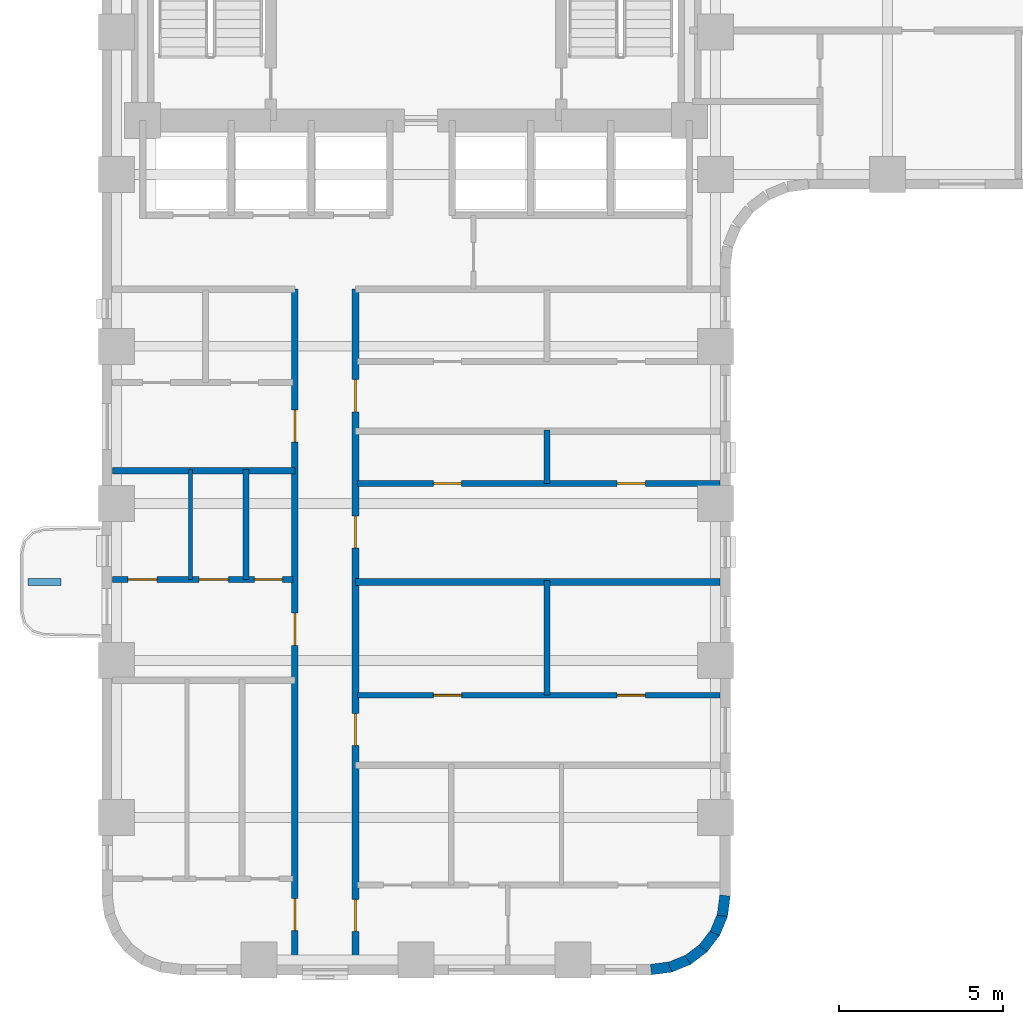
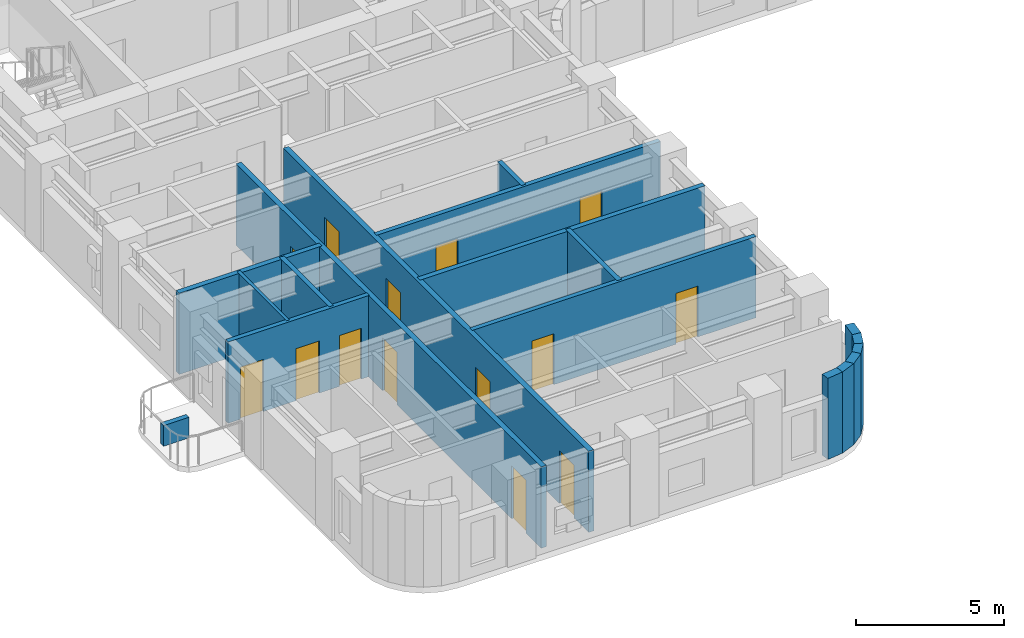
# One storey, part 3 of 12: 18 walls, 14 doors, 14 openings.
"""IFC4 building model written with IfcOpenShell, lengths in metres."""

from ifc_helpers import new_model, si_unit, direction, frame, frame_2d, origin, place, context, subcontext, project, spatial, rectangle, extrude, material, layer, layer_set, type_object, element, fill, save


model = new_model("IFC4")

# Units and contexts
model_context = context("Model", 3, precision=1e-05, world=origin(), true_north=direction((0.0, 1.0)))
body_context = subcontext(model_context, "Body", "Model", "MODEL_VIEW")
ifc_project = project(units=[si_unit("LENGTHUNIT", "METRE"), si_unit("AREAUNIT", "SQUARE_METRE"), si_unit("VOLUMEUNIT", "CUBIC_METRE"), si_unit("PLANEANGLEUNIT", "RADIAN"), si_unit("MASSUNIT", "GRAM", prefix="KILO")], contexts=[model_context])

# Site, building, storey
site_placement = place(None, origin())
site = spatial("IfcSite", under=ifc_project, at=site_placement, CompositionType="ELEMENT")
building_placement = place(site_placement, origin())
building = spatial("IfcBuilding", under=site, at=building_placement, Name="Orvandelia Arch Residences", CompositionType="ELEMENT")
storey_placement = place(building_placement, frame((0.0, 0.0, 43.0)))
storey = spatial("IfcBuildingStorey", under=building, at=storey_placement, Name="L10", CompositionType="ELEMENT", Elevation=43.0)

# Wall, openings, doors
ifc_material_1 = material(Name="Fire-Rated Corridor Partition")
ifc_layer_1 = layer(ifc_material_1, 0.199951171875, Name="Fire-Rated Corridor Partition")
ifc_layer_set_1 = layer_set([ifc_layer_1], Name="Fire-Rated Corridor Partition")
wall_type_1 = type_object("IfcWallType", Name="WL-CORR-200", PredefinedType="PARTITIONING", material=ifc_layer_set_1)
wall_1_placement = place(storey_placement, frame((10.699951171875, 5.1201171875, 0.0), z_axis=(0.0, 0.0, 1.0), x_axis=(0.0, 1.0, 0.0)))
wall_1 = element("IfcWall", 1, at=wall_1_placement, inside=storey, type_object=wall_type_1, Name="Interior Partition Wall WL-L10-WC-W", PredefinedType="PARTITIONING", context=body_context, shape_type="SweptSolid", body=[
    extrude(rectangle(XDim=20.6298828125, YDim=0.199951171875, at=frame_2d((10.31494140625, 0.0))), origin(), (0.0, 0.0, 1.0), 3.35009765625),
])
opening_1_placement = place(wall_1_placement, frame((1.028076171875, 0.0, 0.0)))
opening_1 = element("IfcOpeningElement", 2, at=opening_1_placement, cuts=wall_1, Name="Opening D1", PredefinedType="OPENING", context=body_context, shape_type="SweptSolid", body=[
    extrude(rectangle(XDim=0.97998046875, YDim=2.179931640625, at=frame_2d((0.489990234375, 1.08984375))), frame((0.0, 0.10986328125, 0.0), z_axis=(0.0, -1.0, 0.0), x_axis=(1.0, 0.0, 0.0)), (0.0, 0.0, 1.0), 0.219970703125),
])
opening_2_placement = place(wall_1_placement, frame((9.7470703125, 0.0, 0.0)))
opening_2 = element("IfcOpeningElement", 3, at=opening_2_placement, cuts=wall_1, Name="Opening D1", PredefinedType="OPENING", context=body_context, shape_type="SweptSolid", body=[
    extrude(rectangle(XDim=0.97998046875, YDim=2.179931640625, at=frame_2d((0.489990234375, 1.08984375))), frame((0.0, 0.10986328125, 0.0), z_axis=(0.0, -1.0, 0.0), x_axis=(1.0, 0.0, 0.0)), (0.0, 0.0, 1.0), 0.219970703125),
])
opening_3_placement = place(wall_1_placement, frame((15.9560546875, 0.0, 0.0)))
opening_3 = element("IfcOpeningElement", 4, at=opening_3_placement, cuts=wall_1, Name="Opening D1", PredefinedType="OPENING", context=body_context, shape_type="SweptSolid", body=[
    extrude(rectangle(XDim=0.97998046875, YDim=2.179931640625, at=frame_2d((0.489990234375, 1.08984375))), frame((0.0, 0.10986328125, 0.0), z_axis=(0.0, -1.0, 0.0), x_axis=(1.0, 0.0, 0.0)), (0.0, 0.0, 1.0), 0.219970703125),
])
ifc_material_2 = material(Name="Solid-Core Timber Acoustic Fire Door", Category="wood")
door_type_1 = type_object("IfcDoorType", Name="DR-ENT-980", OperationType="NOTDEFINED", PredefinedType="DOOR", material=ifc_material_2)
door_1_placement = place(opening_1_placement, origin())
door_1 = element("IfcDoor", 5, at=door_1_placement, inside=storey, type_object=door_type_1, Name="Unit L10-01 Entrance Door", OperationType="SINGLE_SWING_LEFT", OverallHeight=2.179931640625, OverallWidth=0.97998046875, PredefinedType="DOOR", context=body_context, shape_type="SweptSolid", body=[
    extrude(rectangle(XDim=0.97998046875, YDim=2.179931640625, at=frame_2d((0.489990234375, 1.08984375))), frame((0.0, 0.02490234375, 0.0), z_axis=(0.0, -1.0, 0.0), x_axis=(1.0, 0.0, 0.0)), (0.0, 0.0, 1.0), 0.050048828125),
])
fill(opening_1, door_1)
door_2_placement = place(opening_2_placement, origin())
door_2 = element("IfcDoor", 6, at=door_2_placement, inside=storey, type_object=door_type_1, Name="Unit L10-02 Entrance Door", OperationType="SINGLE_SWING_RIGHT", OverallHeight=2.179931640625, OverallWidth=0.97998046875, PredefinedType="DOOR", context=body_context, shape_type="SweptSolid", body=[
    extrude(rectangle(XDim=0.97998046875, YDim=2.179931640625, at=frame_2d((0.489990234375, 1.08984375))), frame((0.0, 0.02490234375, 0.0), z_axis=(0.0, -1.0, 0.0), x_axis=(1.0, 0.0, 0.0)), (0.0, 0.0, 1.0), 0.050048828125),
])
fill(opening_2, door_2)
door_3_placement = place(opening_3_placement, origin())
door_3 = element("IfcDoor", 7, at=door_3_placement, inside=storey, type_object=door_type_1, Name="Unit L10-03 Entrance Door", OperationType="SINGLE_SWING_LEFT", OverallHeight=2.179931640625, OverallWidth=0.97998046875, PredefinedType="DOOR", context=body_context, shape_type="SweptSolid", body=[
    extrude(rectangle(XDim=0.97998046875, YDim=2.179931640625, at=frame_2d((0.489990234375, 1.08984375))), frame((0.0, 0.02490234375, 0.0), z_axis=(0.0, -1.0, 0.0), x_axis=(1.0, 0.0, 0.0)), (0.0, 0.0, 1.0), 0.050048828125),
])
fill(opening_3, door_3)

wall_2_placement = place(storey_placement, frame((12.550048828125, 5.1201171875, 0.0), z_axis=(0.0, 0.0, 1.0), x_axis=(0.0, 1.0, 0.0)))
wall_2 = element("IfcWall", 8, at=wall_2_placement, inside=storey, type_object=wall_type_1, Name="Interior Partition Wall WL-L10-WC-E", PredefinedType="PARTITIONING", context=body_context, shape_type="SweptSolid", body=[
    extrude(rectangle(XDim=20.6298828125, YDim=0.199951171875, at=frame_2d((10.31494140625, 0.0))), origin(), (0.0, 0.0, 1.0), 3.35009765625),
])
opening_4_placement = place(wall_2_placement, frame((1.00390625, 0.0, 0.0)))
opening_4 = element("IfcOpeningElement", 9, at=opening_4_placement, cuts=wall_2, Name="Opening D1", PredefinedType="OPENING", context=body_context, shape_type="SweptSolid", body=[
    extrude(rectangle(XDim=0.97998046875, YDim=2.179931640625, at=frame_2d((0.489990234375, 1.08984375))), frame((0.0, 0.10986328125, 0.0), z_axis=(0.0, -1.0, 0.0), x_axis=(1.0, 0.0, 0.0)), (0.0, 0.0, 1.0), 0.219970703125),
])
opening_5_placement = place(wall_2_placement, frame((6.679931640625, 0.0, 0.0)))
opening_5 = element("IfcOpeningElement", 10, at=opening_5_placement, cuts=wall_2, Name="Opening D1", PredefinedType="OPENING", context=body_context, shape_type="SweptSolid", body=[
    extrude(rectangle(XDim=0.97998046875, YDim=2.179931640625, at=frame_2d((0.489990234375, 1.08984375))), frame((0.0, 0.10986328125, 0.0), z_axis=(0.0, -1.0, 0.0), x_axis=(1.0, 0.0, 0.0)), (0.0, 0.0, 1.0), 0.219970703125),
])
opening_6_placement = place(wall_2_placement, frame((12.715087890625, 0.0, 0.0)))
opening_6 = element("IfcOpeningElement", 11, at=opening_6_placement, cuts=wall_2, Name="Opening D1", PredefinedType="OPENING", context=body_context, shape_type="SweptSolid", body=[
    extrude(rectangle(XDim=0.97998046875, YDim=2.179931640625, at=frame_2d((0.489990234375, 1.08984375))), frame((0.0, 0.10986328125, 0.0), z_axis=(0.0, -1.0, 0.0), x_axis=(1.0, 0.0, 0.0)), (0.0, 0.0, 1.0), 0.219970703125),
])
opening_7_placement = place(wall_2_placement, frame((16.8798828125, 0.0, 0.0)))
opening_7 = element("IfcOpeningElement", 12, at=opening_7_placement, cuts=wall_2, Name="Opening D1", PredefinedType="OPENING", context=body_context, shape_type="SweptSolid", body=[
    extrude(rectangle(XDim=0.97998046875, YDim=2.179931640625, at=frame_2d((0.489990234375, 1.08984375))), frame((0.0, 0.10986328125, 0.0), z_axis=(0.0, -1.0, 0.0), x_axis=(1.0, 0.0, 0.0)), (0.0, 0.0, 1.0), 0.219970703125),
])
door_4_placement = place(opening_4_placement, origin())
door_4 = element("IfcDoor", 13, at=door_4_placement, inside=storey, type_object=door_type_1, Name="Unit L10-04 Entrance Door", OperationType="SINGLE_SWING_RIGHT", OverallHeight=2.179931640625, OverallWidth=0.97998046875, PredefinedType="DOOR", context=body_context, shape_type="SweptSolid", body=[
    extrude(rectangle(XDim=0.97998046875, YDim=2.179931640625, at=frame_2d((0.489990234375, 1.08984375))), frame((0.0, 0.02490234375, 0.0), z_axis=(0.0, -1.0, 0.0), x_axis=(1.0, 0.0, 0.0)), (0.0, 0.0, 1.0), 0.050048828125),
])
fill(opening_4, door_4)
door_5_placement = place(opening_5_placement, origin())
door_5 = element("IfcDoor", 14, at=door_5_placement, inside=storey, type_object=door_type_1, Name="Unit L10-05 Entrance Door", OperationType="SINGLE_SWING_LEFT", OverallHeight=2.179931640625, OverallWidth=0.97998046875, PredefinedType="DOOR", context=body_context, shape_type="SweptSolid", body=[
    extrude(rectangle(XDim=0.97998046875, YDim=2.179931640625, at=frame_2d((0.489990234375, 1.08984375))), frame((0.0, 0.02490234375, 0.0), z_axis=(0.0, -1.0, 0.0), x_axis=(1.0, 0.0, 0.0)), (0.0, 0.0, 1.0), 0.050048828125),
])
fill(opening_5, door_5)
door_6_placement = place(opening_6_placement, origin())
door_6 = element("IfcDoor", 15, at=door_6_placement, inside=storey, type_object=door_type_1, Name="Unit L10-06 Entrance Door", OperationType="SINGLE_SWING_RIGHT", OverallHeight=2.179931640625, OverallWidth=0.97998046875, PredefinedType="DOOR", context=body_context, shape_type="SweptSolid", body=[
    extrude(rectangle(XDim=0.97998046875, YDim=2.179931640625, at=frame_2d((0.489990234375, 1.08984375))), frame((0.0, 0.02490234375, 0.0), z_axis=(0.0, -1.0, 0.0), x_axis=(1.0, 0.0, 0.0)), (0.0, 0.0, 1.0), 0.050048828125),
])
fill(opening_6, door_6)
door_7_placement = place(opening_7_placement, origin())
door_7 = element("IfcDoor", 16, at=door_7_placement, inside=storey, type_object=door_type_1, Name="Unit L10-07 Entrance Door", OperationType="SINGLE_SWING_LEFT", OverallHeight=2.179931640625, OverallWidth=0.97998046875, PredefinedType="DOOR", context=body_context, shape_type="SweptSolid", body=[
    extrude(rectangle(XDim=0.97998046875, YDim=2.179931640625, at=frame_2d((0.489990234375, 1.08984375))), frame((0.0, 0.02490234375, 0.0), z_axis=(0.0, -1.0, 0.0), x_axis=(1.0, 0.0, 0.0)), (0.0, 0.0, 1.0), 0.050048828125),
])
fill(opening_7, door_7)

# Walls
ifc_material_3 = material(Name="Concrete C40/50", Category="concrete")
ifc_layer_2 = layer(ifc_material_3, 0.199951171875, Name="Concrete C40/50", Category="concrete")
ifc_layer_set_2 = layer_set([ifc_layer_2], Name="Concrete C40/50")
wall_type_2 = type_object("IfcWallType", Name="WL-DEM-200", PredefinedType="SOLIDWALL", material=ifc_layer_set_2)
wall_3_placement = place(storey_placement, frame((5.1201171875, 20.199951171875, 0.0), z_axis=(0.0, 0.0, 1.0), x_axis=(1.0, 0.0, 0.0)))
element("IfcWall", 17, at=wall_3_placement, inside=storey, type_object=wall_type_2, Name="Interior Partition Wall WL-L10-DEM-WL-202", PredefinedType="SOLIDWALL", context=body_context, shape_type="SweptSolid", body=[
    extrude(rectangle(XDim=5.579833984375, YDim=0.199951171875, at=frame_2d((2.7900390625, 0.0))), origin(), (0.0, 0.0, 1.0), 3.35009765625),
])
wall_4_placement = place(storey_placement, frame((12.550048828125, 16.800048828125, 0.0), z_axis=(0.0, 0.0, 1.0), x_axis=(1.0, 0.0, 0.0)))
element("IfcWall", 18, at=wall_4_placement, inside=storey, type_object=wall_type_2, Name="Interior Partition Wall WL-L10-DEM-WR-168", PredefinedType="SOLIDWALL", context=body_context, shape_type="SweptSolid", body=[
    extrude(rectangle(XDim=11.1298828125, YDim=0.199951171875, at=frame_2d((5.56494140625, 0.0))), origin(), (0.0, 0.0, 1.0), 3.35009765625),
])
ifc_material_4 = material(Name="Precast concrete C40/50", Category="concrete")
ifc_layer_3 = layer(ifc_material_4, 0.320068359375, Name="Precast concrete C40/50", Category="concrete")
ifc_layer_set_3 = layer_set([ifc_layer_3], Name="Precast concrete C40/50")
wall_type_3 = type_object("IfcWallType", Name="WL-EXT-STONE-320", PredefinedType="STANDARD", material=ifc_layer_set_3)
wall_5_placement = place(storey_placement, frame((23.84130859375, 7.220947265625, 0.0), z_axis=(0.0, 0.0, 1.0), x_axis=(-0.130504898859, -0.991447664465, 0.0)))
element("IfcWall", 19, at=wall_5_placement, inside=storey, type_object=wall_type_3, Name="Coral-Limestone Precast Facade Wall L10-029", PredefinedType="STANDARD", context=body_context, shape_type="SweptSolid", body=[
    extrude(rectangle(XDim=0.626708984375, YDim=0.320068359375, at=frame_2d((0.3134765625, 0.0))), origin(), (0.0, 0.0, 1.0), 3.35009765625),
])
wall_6_placement = place(storey_placement, frame((23.7705078125, 6.639892578125, 0.0), z_axis=(0.0, 0.0, 1.0), x_axis=(-0.382787856107, -0.923836271867, 0.0)))
element("IfcWall", 20, at=wall_6_placement, inside=storey, type_object=wall_type_3, Name="Coral-Limestone Precast Facade Wall L10-030", PredefinedType="STANDARD", context=body_context, shape_type="SweptSolid", body=[
    extrude(rectangle(XDim=0.626220703125, YDim=0.320068359375, at=frame_2d((0.31298828125, 0.0))), origin(), (0.0, 0.0, 1.0), 3.35009765625),
])
wall_7_placement = place(storey_placement, frame((23.551513671875, 6.097412109375, 0.0), z_axis=(0.0, 0.0, 1.0), x_axis=(-0.608693302629, -0.793405610854, 0.0)))
element("IfcWall", 21, at=wall_7_placement, inside=storey, type_object=wall_type_3, Name="Coral-Limestone Precast Facade Wall L10-031", PredefinedType="STANDARD", context=body_context, shape_type="SweptSolid", body=[
    extrude(rectangle(XDim=0.62646484375, YDim=0.320068359375, at=frame_2d((0.313232421875, 0.0))), origin(), (0.0, 0.0, 1.0), 3.35009765625),
])
wall_8_placement = place(storey_placement, frame((23.19970703125, 5.6298828125, 0.0), z_axis=(0.0, 0.0, 1.0), x_axis=(-0.7932174212, -0.608938521285, 0.0)))
element("IfcWall", 22, at=wall_8_placement, inside=storey, type_object=wall_type_3, Name="Coral-Limestone Precast Facade Wall L10-032", PredefinedType="STANDARD", context=body_context, shape_type="SweptSolid", body=[
    extrude(rectangle(XDim=0.626708984375, YDim=0.320068359375, at=frame_2d((0.3134765625, 0.0))), origin(), (0.0, 0.0, 1.0), 3.35009765625),
])
for number, where, z_axis, x_axis, name in (
    (23, (22.73876953125, 5.269287109375, 0.0), (0.0, 0.0, 1.0), (-0.92389335771, -0.382650053678, 0.0), "Coral-Limestone Precast Facade Wall L10-033"),
    (24, (22.2001953125, 5.040283203125, 0.0), (0.0, 0.0, 1.0), (-0.9914410257, -0.130555323746, 0.0), "Coral-Limestone Precast Facade Wall L10-034"),
):
    element("IfcWall", number, at=place(storey_placement, frame(where, z_axis=z_axis, x_axis=x_axis)), inside=storey, type_object=wall_type_3, Name=name, PredefinedType="STANDARD", context=body_context, shape_type="SweptSolid", body=[
        extrude(rectangle(XDim=0.62646484375, YDim=0.320068359375, at=frame_2d((0.313232421875, 0.0))), origin(), (0.0, 0.0, 1.0), 3.35009765625),
    ])
ifc_material_5 = material(Name="Lightweight Gypsum Stud Partition")
ifc_layer_4 = layer(ifc_material_5, 0.1201171875, Name="Lightweight Gypsum Stud Partition")
ifc_layer_set_4 = layer_set([ifc_layer_4], Name="Lightweight Gypsum Stud Partition")
wall_type_4 = type_object("IfcWallType", Name="WL-PART-120", PredefinedType="PARTITIONING", material=ifc_layer_set_4)
wall_9_placement = place(storey_placement, frame((7.514892578125, 16.8740234375, 0.0), z_axis=(0.0, 0.0, 1.0), x_axis=(0.0, 1.0, 0.0)))
element("IfcWall", 25, at=wall_9_placement, inside=storey, type_object=wall_type_4, Name="Interior Partition Wall WL-L10-U02-V1", PredefinedType="PARTITIONING", context=body_context, shape_type="SweptSolid", body=[
    extrude(rectangle(XDim=3.365966796875, YDim=0.1201171875, at=frame_2d((1.68310546875, 0.0))), origin(), (0.0, 0.0, 1.0), 3.35009765625),
])
ifc_layer_5 = layer(ifc_material_4, 0.199951171875, Name="Precast concrete C40/50", Category="concrete")
ifc_layer_set_5 = layer_set([ifc_layer_5], Name="Precast concrete C40/50")
wall_type_5 = type_object("IfcWallType", Name="WL-PLANTER-200", PredefinedType="MOVABLE", material=ifc_layer_set_5)
wall_10_placement = place(storey_placement, frame((2.550048828125, 16.800048828125, 0.0), z_axis=(0.0, 0.0, 1.0), x_axis=(1.0, 0.0, 0.0)))
element("IfcWall", 26, at=wall_10_placement, inside=storey, type_object=wall_type_5, Name="Balcony Precast Tree Planter BAL-L10-W1", PredefinedType="MOVABLE", context=body_context, shape_type="SweptSolid", body=[
    extrude(rectangle(XDim=1.0, YDim=0.199951171875, at=frame_2d((0.5, 0.0))), origin(), (0.0, 0.0, 1.0), 0.85009765625),
])

# Wall, openings, doors
ifc_material_6 = material(Name="Moisture-Resistant Plumbing Wall")
ifc_layer_6 = layer(ifc_material_6, 0.179931640625, Name="Moisture-Resistant Plumbing Wall")
ifc_layer_set_6 = layer_set([ifc_layer_6], Name="Moisture-Resistant Plumbing Wall")
wall_type_6 = type_object("IfcWallType", Name="WL-WET-180", PredefinedType="PLUMBINGWALL", material=ifc_layer_set_6)
wall_11_placement = place(storey_placement, frame((5.1201171875, 16.8740234375, 0.0), z_axis=(0.0, 0.0, 1.0), x_axis=(1.0, 0.0, 0.0)))
wall_11 = element("IfcWall", 27, at=wall_11_placement, inside=storey, type_object=wall_type_6, Name="Interior Partition Wall WL-L10-U02-HZ", PredefinedType="PLUMBINGWALL", context=body_context, shape_type="SweptSolid", body=[
    extrude(rectangle(XDim=5.519775390625, YDim=0.179931640625, at=frame_2d((2.759765625, 0.0))), origin(), (0.0, 0.0, 1.0), 3.35009765625),
])
opening_8_placement = place(wall_11_placement, frame((0.47216796875, 0.0, 0.0)))
opening_8 = element("IfcOpeningElement", 28, at=opening_8_placement, cuts=wall_11, Name="Opening D3", PredefinedType="OPENING", context=body_context, shape_type="SweptSolid", body=[
    extrude(rectangle(XDim=0.89990234375, YDim=2.14990234375, at=frame_2d((0.449951171875, 1.074951171875))), frame((0.0, 0.10009765625, 0.0), z_axis=(0.0, -1.0, 0.0), x_axis=(1.0, 0.0, 0.0)), (0.0, 0.0, 1.0), 0.199951171875),
])
opening_9_placement = place(wall_11_placement, frame((2.655029296875, 0.0, 0.0)))
opening_9 = element("IfcOpeningElement", 29, at=opening_9_placement, cuts=wall_11, Name="Opening D3", PredefinedType="OPENING", context=body_context, shape_type="SweptSolid", body=[
    extrude(rectangle(XDim=0.89990234375, YDim=2.14990234375, at=frame_2d((0.449951171875, 1.074951171875))), frame((0.0, 0.10009765625, 0.0), z_axis=(0.0, -1.0, 0.0), x_axis=(1.0, 0.0, 0.0)), (0.0, 0.0, 1.0), 0.199951171875),
])
opening_10_placement = place(wall_11_placement, frame((4.342041015625, 0.0, 0.0)))
opening_10 = element("IfcOpeningElement", 30, at=opening_10_placement, cuts=wall_11, Name="Opening D4", PredefinedType="OPENING", context=body_context, shape_type="SweptSolid", body=[
    extrude(rectangle(XDim=0.860107421875, YDim=2.10009765625, at=frame_2d((0.43017578125, 1.050048828125))), frame((0.0, 0.10009765625, 0.0), z_axis=(0.0, -1.0, 0.0), x_axis=(1.0, 0.0, 0.0)), (0.0, 0.0, 1.0), 0.199951171875),
])
ifc_material_7 = material(Name="Engineered Timber Flush Door", Category="wood")
door_type_2 = type_object("IfcDoorType", Name="DR-INT-900", OperationType="NOTDEFINED", PredefinedType="DOOR", material=ifc_material_7)
door_8_placement = place(opening_8_placement, origin())
door_8 = element("IfcDoor", 31, at=door_8_placement, inside=storey, type_object=door_type_2, Name="DR-L10-U02-BD1", OperationType="SINGLE_SWING_RIGHT", OverallHeight=2.14990234375, OverallWidth=0.89990234375, PredefinedType="DOOR", context=body_context, shape_type="SweptSolid", body=[
    extrude(rectangle(XDim=0.89990234375, YDim=2.14990234375, at=frame_2d((0.449951171875, 1.074951171875))), frame((0.0, 0.02490234375, 0.0), z_axis=(0.0, -1.0, 0.0), x_axis=(1.0, 0.0, 0.0)), (0.0, 0.0, 1.0), 0.050048828125),
])
fill(opening_8, door_8)
door_9_placement = place(opening_9_placement, origin())
door_9 = element("IfcDoor", 32, at=door_9_placement, inside=storey, type_object=door_type_2, Name="DR-L10-U02-KIT", OperationType="SINGLE_SWING_LEFT", OverallHeight=2.14990234375, OverallWidth=0.89990234375, PredefinedType="DOOR", context=body_context, shape_type="SweptSolid", body=[
    extrude(rectangle(XDim=0.89990234375, YDim=2.14990234375, at=frame_2d((0.449951171875, 1.074951171875))), frame((0.0, 0.02490234375, 0.0), z_axis=(0.0, -1.0, 0.0), x_axis=(1.0, 0.0, 0.0)), (0.0, 0.0, 1.0), 0.050048828125),
])
fill(opening_9, door_9)
ifc_material_8 = material(Name="Moisture-Sealed Timber Bathroom Door", Category="wood")
door_type_3 = type_object("IfcDoorType", Name="DR-WET-900", OperationType="NOTDEFINED", PredefinedType="DOOR", material=ifc_material_8)
door_10_placement = place(opening_10_placement, origin())
door_10 = element("IfcDoor", 33, at=door_10_placement, inside=storey, type_object=door_type_3, Name="DR-L10-U02-BTH", OperationType="SINGLE_SWING_RIGHT", OverallHeight=2.10009765625, OverallWidth=0.860107421875, PredefinedType="DOOR", context=body_context, shape_type="SweptSolid", body=[
    extrude(rectangle(XDim=0.860107421875, YDim=2.10009765625, at=frame_2d((0.43017578125, 1.050048828125))), frame((0.0, 0.02490234375, 0.0), z_axis=(0.0, -1.0, 0.0), x_axis=(1.0, 0.0, 0.0)), (0.0, 0.0, 1.0), 0.050048828125),
])
fill(opening_10, door_10)

# Wall
wall_12_placement = place(storey_placement, frame((9.201904296875, 16.8740234375, 0.0), z_axis=(0.0, 0.0, 1.0), x_axis=(0.0, 1.0, 0.0)))
element("IfcWall", 34, at=wall_12_placement, inside=storey, type_object=wall_type_6, Name="Interior Partition Wall WL-L10-U02-V2", PredefinedType="PLUMBINGWALL", context=body_context, shape_type="SweptSolid", body=[
    extrude(rectangle(XDim=3.365966796875, YDim=0.179931640625, at=frame_2d((1.68310546875, 0.0))), origin(), (0.0, 0.0, 1.0), 3.35009765625),
])

# Wall, openings, doors
wall_13_placement = place(storey_placement, frame((12.610107421875, 13.340087890625, 0.0), z_axis=(0.0, 0.0, 1.0), x_axis=(1.0, 0.0, 0.0)))
wall_13 = element("IfcWall", 35, at=wall_13_placement, inside=storey, type_object=wall_type_6, Name="Interior Partition Wall WL-L10-U05-HZ", PredefinedType="PLUMBINGWALL", context=body_context, shape_type="SweptSolid", body=[
    extrude(rectangle(XDim=11.06982421875, YDim=0.179931640625, at=frame_2d((5.534912109375, 0.0))), origin(), (0.0, 0.0, 1.0), 3.35009765625),
])
opening_11_placement = place(wall_13_placement, frame((2.319091796875, 0.0, 0.0)))
opening_11 = element("IfcOpeningElement", 36, at=opening_11_placement, cuts=wall_13, Name="Opening D4", PredefinedType="OPENING", context=body_context, shape_type="SweptSolid", body=[
    extrude(rectangle(XDim=0.860107421875, YDim=2.10009765625, at=frame_2d((0.43017578125, 1.050048828125))), frame((0.0, 0.10009765625, 0.0), z_axis=(0.0, -1.0, 0.0), x_axis=(1.0, 0.0, 0.0)), (0.0, 0.0, 1.0), 0.199951171875),
])
opening_12_placement = place(wall_13_placement, frame((7.93408203125, 0.0, 0.0)))
opening_12 = element("IfcOpeningElement", 37, at=opening_12_placement, cuts=wall_13, Name="Opening D4", PredefinedType="OPENING", context=body_context, shape_type="SweptSolid", body=[
    extrude(rectangle(XDim=0.860107421875, YDim=2.10009765625, at=frame_2d((0.43017578125, 1.050048828125))), frame((0.0, 0.10009765625, 0.0), z_axis=(0.0, -1.0, 0.0), x_axis=(1.0, 0.0, 0.0)), (0.0, 0.0, 1.0), 0.199951171875),
])
door_11_placement = place(opening_11_placement, origin())
door_11 = element("IfcDoor", 38, at=door_11_placement, inside=storey, type_object=door_type_3, Name="DR-L10-U05-KIT", OperationType="SINGLE_SWING_LEFT", OverallHeight=2.10009765625, OverallWidth=0.860107421875, PredefinedType="DOOR", context=body_context, shape_type="SweptSolid", body=[
    extrude(rectangle(XDim=0.860107421875, YDim=2.10009765625, at=frame_2d((0.43017578125, 1.050048828125))), frame((0.0, 0.02490234375, 0.0), z_axis=(0.0, -1.0, 0.0), x_axis=(1.0, 0.0, 0.0)), (0.0, 0.0, 1.0), 0.050048828125),
])
fill(opening_11, door_11)
door_12_placement = place(opening_12_placement, origin())
door_12 = element("IfcDoor", 39, at=door_12_placement, inside=storey, type_object=door_type_3, Name="DR-L10-U05-BTH", OperationType="SINGLE_SWING_RIGHT", OverallHeight=2.10009765625, OverallWidth=0.860107421875, PredefinedType="DOOR", context=body_context, shape_type="SweptSolid", body=[
    extrude(rectangle(XDim=0.860107421875, YDim=2.10009765625, at=frame_2d((0.43017578125, 1.050048828125))), frame((0.0, 0.02490234375, 0.0), z_axis=(0.0, -1.0, 0.0), x_axis=(1.0, 0.0, 0.0)), (0.0, 0.0, 1.0), 0.050048828125),
])
fill(opening_12, door_12)

# Wall
wall_14_placement = place(storey_placement, frame((18.39794921875, 13.340087890625, 0.0), z_axis=(0.0, 0.0, 1.0), x_axis=(0.0, 1.0, 0.0)))
element("IfcWall", 40, at=wall_14_placement, inside=storey, type_object=wall_type_6, Name="Interior Partition Wall WL-L10-U05-V1", PredefinedType="PLUMBINGWALL", context=body_context, shape_type="SweptSolid", body=[
    extrude(rectangle(XDim=3.5, YDim=0.179931640625, at=frame_2d((1.75, 0.0))), origin(), (0.0, 0.0, 1.0), 3.35009765625),
])

# Wall, openings, doors
wall_15_placement = place(storey_placement, frame((12.610107421875, 19.81005859375, 0.0), z_axis=(0.0, 0.0, 1.0), x_axis=(1.0, 0.0, 0.0)))
wall_15 = element("IfcWall", 41, at=wall_15_placement, inside=storey, type_object=wall_type_6, Name="Interior Partition Wall WL-L10-U06-HZ", PredefinedType="PLUMBINGWALL", context=body_context, shape_type="SweptSolid", body=[
    extrude(rectangle(XDim=11.06982421875, YDim=0.179931640625, at=frame_2d((5.534912109375, 0.0))), origin(), (0.0, 0.0, 1.0), 3.35009765625),
])
opening_13_placement = place(wall_15_placement, frame((2.319091796875, 0.0, 0.0)))
opening_13 = element("IfcOpeningElement", 42, at=opening_13_placement, cuts=wall_15, Name="Opening D4", PredefinedType="OPENING", context=body_context, shape_type="SweptSolid", body=[
    extrude(rectangle(XDim=0.860107421875, YDim=2.10009765625, at=frame_2d((0.43017578125, 1.050048828125))), frame((0.0, 0.10009765625, 0.0), z_axis=(0.0, -1.0, 0.0), x_axis=(1.0, 0.0, 0.0)), (0.0, 0.0, 1.0), 0.199951171875),
])
opening_14_placement = place(wall_15_placement, frame((7.93408203125, 0.0, 0.0)))
opening_14 = element("IfcOpeningElement", 43, at=opening_14_placement, cuts=wall_15, Name="Opening D4", PredefinedType="OPENING", context=body_context, shape_type="SweptSolid", body=[
    extrude(rectangle(XDim=0.860107421875, YDim=2.10009765625, at=frame_2d((0.43017578125, 1.050048828125))), frame((0.0, 0.10009765625, 0.0), z_axis=(0.0, -1.0, 0.0), x_axis=(1.0, 0.0, 0.0)), (0.0, 0.0, 1.0), 0.199951171875),
])
door_13_placement = place(opening_13_placement, origin())
door_13 = element("IfcDoor", 44, at=door_13_placement, inside=storey, type_object=door_type_3, Name="DR-L10-U06-KIT", OperationType="SINGLE_SWING_RIGHT", OverallHeight=2.10009765625, OverallWidth=0.860107421875, PredefinedType="DOOR", context=body_context, shape_type="SweptSolid", body=[
    extrude(rectangle(XDim=0.860107421875, YDim=2.10009765625, at=frame_2d((0.43017578125, 1.050048828125))), frame((0.0, 0.02490234375, 0.0), z_axis=(0.0, -1.0, 0.0), x_axis=(1.0, 0.0, 0.0)), (0.0, 0.0, 1.0), 0.050048828125),
])
fill(opening_13, door_13)
door_14_placement = place(opening_14_placement, origin())
door_14 = element("IfcDoor", 45, at=door_14_placement, inside=storey, type_object=door_type_3, Name="DR-L10-U06-BTH", OperationType="SINGLE_SWING_LEFT", OverallHeight=2.10009765625, OverallWidth=0.860107421875, PredefinedType="DOOR", context=body_context, shape_type="SweptSolid", body=[
    extrude(rectangle(XDim=0.860107421875, YDim=2.10009765625, at=frame_2d((0.43017578125, 1.050048828125))), frame((0.0, 0.02490234375, 0.0), z_axis=(0.0, -1.0, 0.0), x_axis=(1.0, 0.0, 0.0)), (0.0, 0.0, 1.0), 0.050048828125),
])
fill(opening_14, door_14)

# Wall
wall_16_placement = place(storey_placement, frame((18.39794921875, 19.81005859375, 0.0), z_axis=(0.0, 0.0, 1.0), x_axis=(0.0, 1.0, 0.0)))
element("IfcWall", 46, at=wall_16_placement, inside=storey, type_object=wall_type_6, Name="Interior Partition Wall WL-L10-U06-V1", PredefinedType="PLUMBINGWALL", context=body_context, shape_type="SweptSolid", body=[
    extrude(rectangle(XDim=1.6298828125, YDim=0.179931640625, at=frame_2d((0.81494140625, 0.0))), origin(), (0.0, 0.0, 1.0), 3.35009765625),
])

save(model, "model.ifc")
